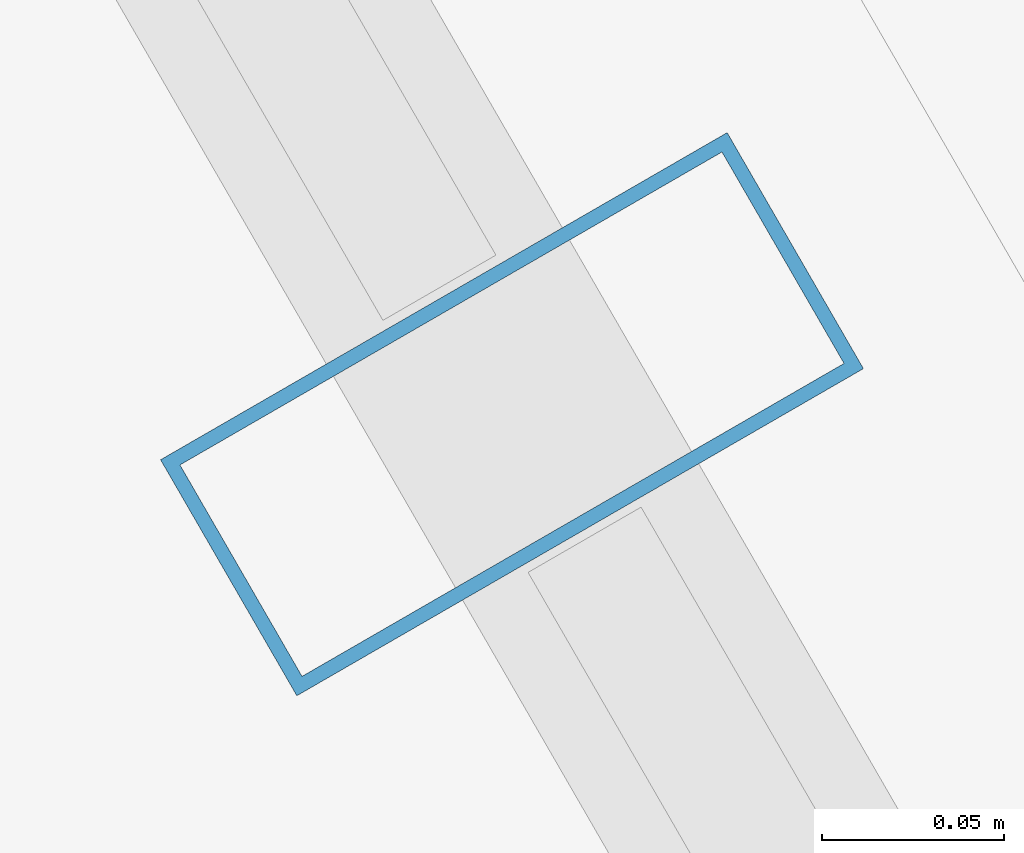
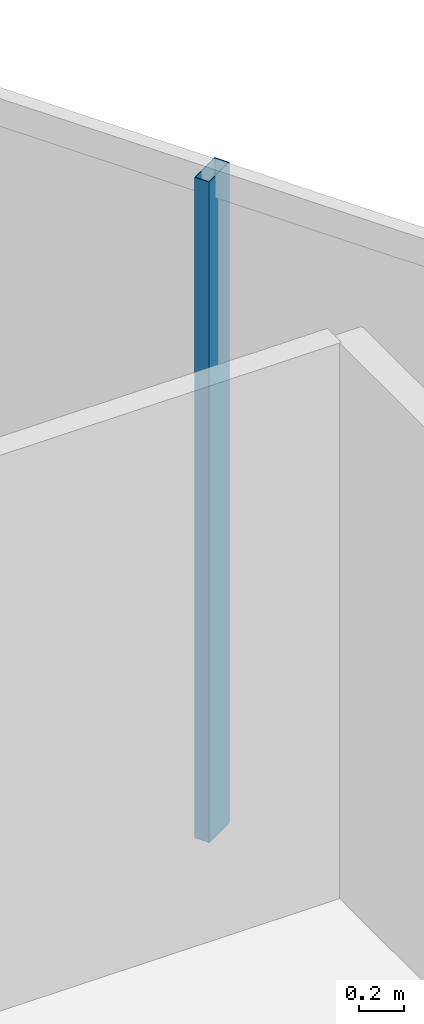
# One storey, part 19 of 37: 1 member, 1 element without a shape of its own.
"""IFC4 building model written with IfcOpenShell, lengths in metres."""

from ifc_helpers import new_model, si_unit, direction, frame, origin, origin_2d, place, context, subcontext, project, spatial, hollow_rectangle, extrude, material, layer, layer_set, material_profile, profile_set, type_object, element, aggregate, save


model = new_model("IFC4")

# Units and contexts
model_context = context("Model", 3, precision=1e-05, world=origin(), true_north=direction((0.0, 1.0)))
body_context = subcontext(model_context, "Body", "Model", "MODEL_VIEW")
ifc_project = project(units=[si_unit("LENGTHUNIT", "METRE"), si_unit("AREAUNIT", "SQUARE_METRE"), si_unit("VOLUMEUNIT", "CUBIC_METRE"), si_unit("PLANEANGLEUNIT", "RADIAN"), si_unit("MASSUNIT", "GRAM", prefix="KILO")], contexts=[model_context])

# Site, building, storey
site_placement = place(None, origin())
site = spatial("IfcSite", under=ifc_project, at=site_placement, CompositionType="ELEMENT")
building_placement = place(site_placement, origin())
building = spatial("IfcBuilding", under=site, at=building_placement, Name="Ndaravel Arena Tower", CompositionType="ELEMENT")
storey_placement = place(building_placement, frame((0.0, 0.0, 218.0)))
storey = spatial("IfcBuildingStorey", under=building, at=storey_placement, Name="L52", CompositionType="ELEMENT", Elevation=218.0)

# Curtain wall, member
ifc_material_1 = material(Name="Aluminium", Category="aluminium")
ifc_layer = layer(ifc_material_1, 0.179931640625)
ifc_layer_set = layer_set([ifc_layer], Name="Aluminium")
curtain_wall_type = type_object("IfcCurtainWallType", Name="CW-SYS-03", PredefinedType="NOTDEFINED", material=ifc_layer_set)
curtain_wall_placement = place(storey_placement, origin())
curtain_wall = element("IfcCurtainWall", 1, at=curtain_wall_placement, inside=storey, type_object=curtain_wall_type, Name="L52 Faceted Crystal Curtain Wall CW-L52-E03", PredefinedType="NOTDEFINED")
ifc_material_2 = material(Name="Aluminium", Category="aluminium")
ifc_material_profile = material_profile(ifc_material_2, hollow_rectangle(XDim=0.074951171875, YDim=0.179931640625, WallThickness=0.00390625, at=origin_2d()), Name="CW MULLION 75x180x4")
ifc_profile_set = profile_set([ifc_material_profile], Name="Aluminium")
member_type = type_object("IfcMemberType", Name="MEM-CW-MUL180", PredefinedType="MULLION", material=ifc_profile_set)
member_placement = place(storey_placement, frame((56.697998046875, 26.8779296875, 0.0), z_axis=(0.0, 0.0, 1.0), x_axis=(-0.5, 0.866025403784, 0.0)))
member = element("IfcMember", 2, at=member_placement, type_object=member_type, Name="CW-L52-E03 Mullion 04", PredefinedType="MULLION", context=body_context, shape_type="SweptSolid", body=[
    extrude(hollow_rectangle(XDim=0.074951171875, YDim=0.179931640625, WallThickness=0.00390625, at=origin_2d()), origin(), (0.0, 0.0, 1.0), 3.580078125),
])
aggregate(curtain_wall, [member])

save(model, "model.ifc")
